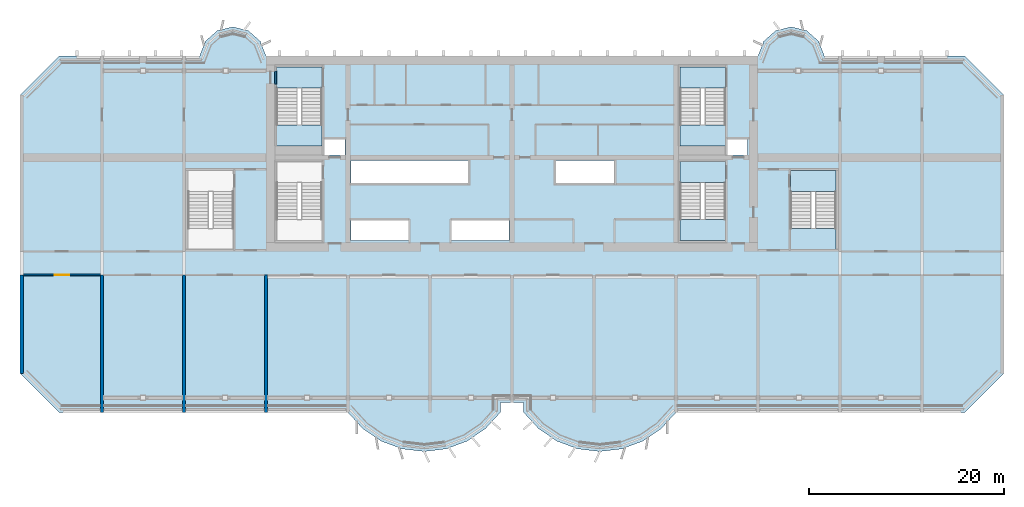
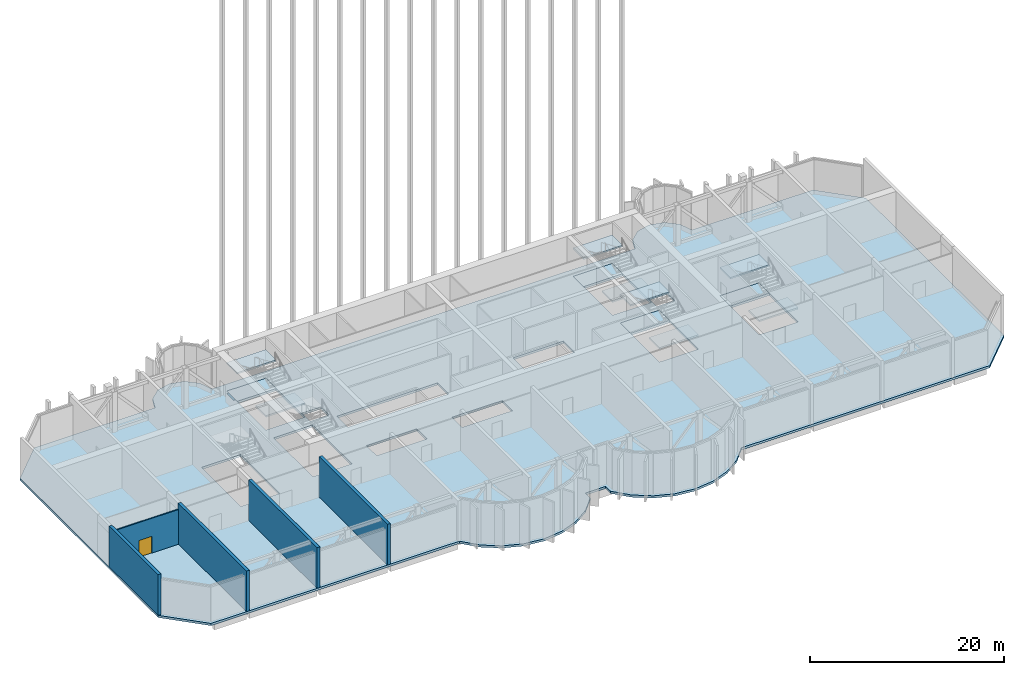
# One storey, part 4 of 17: 14 slabs, 5 walls, 1 door, 1 opening, 4 elements without a shape of their own.
"""IFC4 building model written with IfcOpenShell, lengths in metres."""

from ifc_helpers import new_model, si_unit, direction, frame, frame_2d, origin, place, context, subcontext, project, spatial, polyline, rectangle, outline, extrude, source, transform, mapped, material, layer, layer_set, type_object, element, fill, aggregate, save


model = new_model("IFC4")

# Units and contexts
model_context = context("Model", 3, precision=1e-05, world=origin(), true_north=direction((0.0, 1.0)))
body_context = subcontext(model_context, "Body", "Model", "MODEL_VIEW")
ifc_project = project(units=[si_unit("LENGTHUNIT", "METRE"), si_unit("AREAUNIT", "SQUARE_METRE"), si_unit("VOLUMEUNIT", "CUBIC_METRE"), si_unit("PLANEANGLEUNIT", "RADIAN"), si_unit("MASSUNIT", "GRAM", prefix="KILO")], contexts=[model_context])

# Site, building, storey
site_placement = place(None, origin())
site = spatial("IfcSite", under=ifc_project, at=site_placement, CompositionType="ELEMENT")
building_placement = place(site_placement, origin())
building = spatial("IfcBuilding", under=site, at=building_placement, Name="Vanashikhar Sky Hotel", CompositionType="ELEMENT")
storey_placement = place(building_placement, frame((0.0, 0.0, 140.800048828125)))
storey = spatial("IfcBuildingStorey", under=building, at=storey_placement, Name="L34", CompositionType="ELEMENT", Elevation=140.800048828125)

# Slabs
ifc_material_1 = material(Name="Concrete M40", Category="concrete")
ifc_layer_1 = layer(ifc_material_1, 0.280029296875)
ifc_layer_set_1 = layer_set([ifc_layer_1], Name="Floor slab 280 mm")
slab_type_1 = type_object("IfcSlabType", Name="Floor slab 280 mm", PredefinedType="FLOOR", material=ifc_layer_set_1)
shared_shape_1 = source(origin(), body_context, "Body", "SweptSolid", [
    extrude(outline(polyline([(49.199951171875, 5.5), (49.199951171875, 6.5), (51.60009765625, 6.5), (51.60009765625, 5.5), (53.133056640625, 3.825927734375), (55.01708984375, 2.55810546875), (57.14599609375, 1.76806640625), (59.39990234375, 1.5), (61.654052734375, 1.76806640625), (63.782958984375, 2.55810546875), (65.6669921875, 3.825927734375), (67.199951171875, 5.5), (96.800048828125, 5.5), (100.800048828125, 9.5), (100.800048828125, 38.0), (96.800048828125, 42.0), (82.39990234375, 42.0), (81.81494140625, 43.527099609375), (80.587890625, 44.610107421875), (79.0, 45.0), (77.412109375, 44.610107421875), (76.18505859375, 43.527099609375), (75.60009765625, 42.0), (25.199951171875, 42.0), (24.614990234375, 43.527099609375), (23.387939453125, 44.610107421875), (21.800048828125, 45.0), (20.2119140625, 44.610107421875), (18.985107421875, 43.527099609375), (18.39990234375, 42.0), (4.0, 42.0), (0.0, 38.0), (0.0, 9.5), (4.0, 5.5), (33.60009765625, 5.5), (35.133056640625, 3.825927734375), (37.01708984375, 2.55810546875), (39.14599609375, 1.76806640625), (41.39990234375, 1.5), (43.654052734375, 1.76806640625), (45.782958984375, 2.55810546875), (47.6669921875, 3.825927734375), (49.199951171875, 5.5)]), holes=[polyline([(33.300048828125, 33.60009765625), (31.050048828125, 33.60009765625), (31.050048828125, 31.89990234375), (33.300048828125, 31.89990234375), (33.300048828125, 33.60009765625)]), polyline([(33.89990234375, 25.199951171875), (33.89990234375, 23.10009765625), (39.89990234375, 23.10009765625), (39.89990234375, 25.199951171875), (33.89990234375, 25.199951171875)]), polyline([(33.89990234375, 31.300048828125), (33.89990234375, 29.0), (45.89990234375, 29.0), (45.89990234375, 31.300048828125), (33.89990234375, 31.300048828125)]), polyline([(44.10009765625, 25.199951171875), (44.10009765625, 23.10009765625), (50.10009765625, 23.10009765625), (50.10009765625, 25.199951171875), (44.10009765625, 25.199951171875)]), polyline([(54.89990234375, 31.300048828125), (54.89990234375, 29.0), (60.89990234375, 29.0), (60.89990234375, 31.300048828125), (54.89990234375, 31.300048828125)]), polyline([(74.5, 33.60009765625), (72.35009765625, 33.60009765625), (72.35009765625, 31.89990234375), (74.5, 31.89990234375), (74.5, 33.60009765625)]), polyline([(30.949951171875, 23.10009765625), (30.949951171875, 31.199951171875), (26.300048828125, 31.199951171875), (26.300048828125, 23.10009765625), (30.949951171875, 23.10009765625)]), polyline([(72.25, 23.10009765625), (72.25, 31.199951171875), (67.60009765625, 31.199951171875), (67.60009765625, 23.10009765625), (72.25, 23.10009765625)]), polyline([(26.300048828125, 40.5009765625), (26.10009765625, 40.5009765625), (26.10009765625, 39.09912109375), (26.300048828125, 39.09912109375), (26.300048828125, 32.800048828125), (30.949951171875, 32.800048828125), (30.949951171875, 40.89990234375), (26.300048828125, 40.89990234375), (26.300048828125, 40.5009765625)]), polyline([(72.25, 32.800048828125), (72.25, 40.89990234375), (67.60009765625, 40.89990234375), (67.60009765625, 32.800048828125), (72.25, 32.800048828125)]), polyline([(83.60009765625, 22.199951171875), (83.60009765625, 30.300048828125), (78.949951171875, 30.300048828125), (78.949951171875, 22.199951171875), (83.60009765625, 22.199951171875)]), polyline([(21.85009765625, 22.199951171875), (21.85009765625, 30.300048828125), (17.199951171875, 30.300048828125), (17.199951171875, 22.199951171875), (21.85009765625, 22.199951171875)])]), origin(), (0.0, 0.0, 1.0), 0.280029296875),
])
slab_1_placement = place(storey_placement, frame((0.0, 0.0, -0.280029296875)))
element("IfcSlab", 1, at=slab_1_placement, inside=storey, type_object=slab_type_1, Name="Floor slab L34", PredefinedType="FLOOR", context=body_context, shape_type="MappedRepresentation", body=[
    mapped(shared_shape_1, transform((0.0, 0.0, 0.0), scale=1.0)),
])
ifc_layer_2 = layer(ifc_material_1, 0.280029296875)
ifc_layer_set_2 = layer_set([ifc_layer_2], Name="Stair floor landing 280")
slab_type_2 = type_object("IfcSlabType", Name="Stair floor landing 280", PredefinedType="LANDING", material=ifc_layer_set_2)
shared_shape_2 = source(origin(), body_context, "Body", "SweptSolid", [
    extrude(outline(polyline([(26.10009765625, 39.10009765625), (26.300048828125, 39.10009765625), (26.300048828125, 40.5), (26.10009765625, 40.5), (26.10009765625, 39.10009765625)])), origin(), (0.0, 0.0, 1.0), 0.280029296875),
])
slab_2_placement = place(storey_placement, frame((0.0, 0.0, -0.280029296875)))
element("IfcSlab", 2, at=slab_2_placement, inside=storey, type_object=slab_type_2, Name="Stair floor landing", PredefinedType="LANDING", context=body_context, shape_type="MappedRepresentation", body=[
    mapped(shared_shape_2, transform((0.0, 0.0, 0.0), scale=1.0)),
])

# Stair, slabs
stair_type = type_object("IfcStairType", Name="Exit stair 2150", PredefinedType="DOUBLE_RETURN_STAIR", material=ifc_material_1)
stair_1_placement = place(storey_placement, origin())
stair_1 = element("IfcStair", 3, at=stair_1_placement, inside=storey, type_object=stair_type, Name="L34 Exit stair 2", PredefinedType="DOUBLE_RETURN_STAIR")
ifc_layer_3 = layer(ifc_material_1, 0.199951171875)
ifc_layer_set_3 = layer_set([ifc_layer_3], Name="Stair landing 200")
slab_type_3 = type_object("IfcSlabType", Name="Stair landing 200", PredefinedType="LANDING", material=ifc_layer_set_3)
shared_shape_3 = source(origin(), body_context, "Body", "SweptSolid", [
    extrude(outline(polyline([(72.25, 29.050048828125), (72.25, 31.199951171875), (67.60009765625, 31.199951171875), (67.60009765625, 29.050048828125), (72.25, 29.050048828125)])), origin(), (0.0, 0.0, 1.0), 0.199951171875),
])
slab_3_placement = place(storey_placement, frame((0.0, 0.0, 3.39990234375)))
slab_3 = element("IfcSlab", 4, at=slab_3_placement, type_object=slab_type_3, Name="ST-C2 landing 2", PredefinedType="LANDING", context=body_context, shape_type="MappedRepresentation", body=[
    mapped(shared_shape_3, transform((0.0, 0.0, 0.0), scale=1.0)),
])
shared_shape_4 = source(origin(), body_context, "Body", "SweptSolid", [
    extrude(outline(polyline([(72.25, 23.10009765625), (72.25, 25.25), (67.60009765625, 25.25), (67.60009765625, 23.10009765625), (72.25, 23.10009765625)])), origin(), (0.0, 0.0, 1.0), 0.2001953125),
])
slab_4_placement = place(storey_placement, frame((0.0, 0.0, 1.599853515625)))
slab_4 = element("IfcSlab", 5, at=slab_4_placement, type_object=slab_type_3, Name="ST-C2 landing 1", PredefinedType="LANDING", context=body_context, shape_type="MappedRepresentation", body=[
    mapped(shared_shape_4, transform((0.0, 0.0, 0.0), scale=1.0)),
])
aggregate(stair_1, [slab_4, slab_3])

# Slab
shared_shape_5 = source(origin(), body_context, "Body", "SweptSolid", [
    extrude(outline(polyline([(72.25, 29.050048828125), (72.25, 31.199951171875), (67.60009765625, 31.199951171875), (67.60009765625, 29.050048828125), (72.25, 29.050048828125)])), origin(), (0.0, 0.0, 1.0), 0.280029296875),
])
slab_5_placement = place(storey_placement, frame((0.0, 0.0, -0.280029296875)))
element("IfcSlab", 6, at=slab_5_placement, inside=storey, type_object=slab_type_2, Name="Exit stair 2 floor landing", PredefinedType="LANDING", context=body_context, shape_type="MappedRepresentation", body=[
    mapped(shared_shape_5, transform((0.0, 0.0, 0.0), scale=1.0)),
])

# Stair, slabs
stair_2_placement = place(storey_placement, origin())
stair_2 = element("IfcStair", 7, at=stair_2_placement, inside=storey, type_object=stair_type, Name="L34 Exit stair 4", PredefinedType="DOUBLE_RETURN_STAIR")
shared_shape_6 = source(origin(), body_context, "Body", "SweptSolid", [
    extrude(outline(polyline([(83.60009765625, 28.14990234375), (83.60009765625, 30.300048828125), (78.949951171875, 30.300048828125), (78.949951171875, 28.14990234375), (83.60009765625, 28.14990234375)])), origin(), (0.0, 0.0, 1.0), 0.199951171875),
])
slab_6_placement = place(storey_placement, frame((0.0, 0.0, 3.39990234375)))
slab_6 = element("IfcSlab", 8, at=slab_6_placement, type_object=slab_type_3, Name="ST-E landing 2", PredefinedType="LANDING", context=body_context, shape_type="MappedRepresentation", body=[
    mapped(shared_shape_6, transform((0.0, 0.0, 0.0), scale=1.0)),
])
shared_shape_7 = source(origin(), body_context, "Body", "SweptSolid", [
    extrude(outline(polyline([(83.60009765625, 22.199951171875), (83.60009765625, 24.35009765625), (78.949951171875, 24.35009765625), (78.949951171875, 22.199951171875), (83.60009765625, 22.199951171875)])), origin(), (0.0, 0.0, 1.0), 0.2001953125),
])
slab_7_placement = place(storey_placement, frame((0.0, 0.0, 1.599853515625)))
slab_7 = element("IfcSlab", 9, at=slab_7_placement, type_object=slab_type_3, Name="ST-E landing 1", PredefinedType="LANDING", context=body_context, shape_type="MappedRepresentation", body=[
    mapped(shared_shape_7, transform((0.0, 0.0, 0.0), scale=1.0)),
])
aggregate(stair_2, [slab_7, slab_6])

# Slab
shared_shape_8 = source(origin(), body_context, "Body", "SweptSolid", [
    extrude(outline(polyline([(83.60009765625, 28.14990234375), (83.60009765625, 30.300048828125), (78.949951171875, 30.300048828125), (78.949951171875, 28.14990234375), (83.60009765625, 28.14990234375)])), origin(), (0.0, 0.0, 1.0), 0.280029296875),
])
slab_8_placement = place(storey_placement, frame((0.0, 0.0, -0.280029296875)))
element("IfcSlab", 10, at=slab_8_placement, inside=storey, type_object=slab_type_2, Name="Exit stair 4 floor landing", PredefinedType="LANDING", context=body_context, shape_type="MappedRepresentation", body=[
    mapped(shared_shape_8, transform((0.0, 0.0, 0.0), scale=1.0)),
])

# Stair, slabs
stair_3_placement = place(storey_placement, origin())
stair_3 = element("IfcStair", 11, at=stair_3_placement, inside=storey, type_object=stair_type, Name="L34 Exit stair 5", PredefinedType="DOUBLE_RETURN_STAIR")
shared_shape_9 = source(origin(), body_context, "Body", "SweptSolid", [
    extrude(outline(polyline([(30.949951171875, 38.75), (30.949951171875, 40.89990234375), (26.300048828125, 40.89990234375), (26.300048828125, 38.75), (30.949951171875, 38.75)])), origin(), (0.0, 0.0, 1.0), 0.199951171875),
])
slab_9_placement = place(storey_placement, frame((0.0, 0.0, 3.39990234375)))
slab_9 = element("IfcSlab", 12, at=slab_9_placement, type_object=slab_type_3, Name="ST-C3 landing 2", PredefinedType="LANDING", context=body_context, shape_type="MappedRepresentation", body=[
    mapped(shared_shape_9, transform((0.0, 0.0, 0.0), scale=1.0)),
])
shared_shape_10 = source(origin(), body_context, "Body", "SweptSolid", [
    extrude(outline(polyline([(30.949951171875, 32.800048828125), (30.949951171875, 34.949951171875), (26.300048828125, 34.949951171875), (26.300048828125, 32.800048828125), (30.949951171875, 32.800048828125)])), origin(), (0.0, 0.0, 1.0), 0.2001953125),
])
slab_10_placement = place(storey_placement, frame((0.0, 0.0, 1.599853515625)))
slab_10 = element("IfcSlab", 13, at=slab_10_placement, type_object=slab_type_3, Name="ST-C3 landing 1", PredefinedType="LANDING", context=body_context, shape_type="MappedRepresentation", body=[
    mapped(shared_shape_10, transform((0.0, 0.0, 0.0), scale=1.0)),
])
aggregate(stair_3, [slab_10, slab_9])

# Slab
shared_shape_11 = source(origin(), body_context, "Body", "SweptSolid", [
    extrude(outline(polyline([(30.949951171875, 38.75), (30.949951171875, 40.89990234375), (26.300048828125, 40.89990234375), (26.300048828125, 38.75), (30.949951171875, 38.75)])), origin(), (0.0, 0.0, 1.0), 0.280029296875),
])
slab_11_placement = place(storey_placement, frame((0.0, 0.0, -0.280029296875)))
element("IfcSlab", 14, at=slab_11_placement, inside=storey, type_object=slab_type_2, Name="Exit stair 5 floor landing", PredefinedType="LANDING", context=body_context, shape_type="MappedRepresentation", body=[
    mapped(shared_shape_11, transform((0.0, 0.0, 0.0), scale=1.0)),
])

# Stair, slabs
stair_4_placement = place(storey_placement, origin())
stair_4 = element("IfcStair", 15, at=stair_4_placement, inside=storey, type_object=stair_type, Name="L34 Exit stair 6", PredefinedType="DOUBLE_RETURN_STAIR")
shared_shape_12 = source(origin(), body_context, "Body", "SweptSolid", [
    extrude(outline(polyline([(72.25, 38.75), (72.25, 40.89990234375), (67.60009765625, 40.89990234375), (67.60009765625, 38.75), (72.25, 38.75)])), origin(), (0.0, 0.0, 1.0), 0.199951171875),
])
slab_12_placement = place(storey_placement, frame((0.0, 0.0, 3.39990234375)))
slab_12 = element("IfcSlab", 16, at=slab_12_placement, type_object=slab_type_3, Name="ST-C4 landing 2", PredefinedType="LANDING", context=body_context, shape_type="MappedRepresentation", body=[
    mapped(shared_shape_12, transform((0.0, 0.0, 0.0), scale=1.0)),
])
shared_shape_13 = source(origin(), body_context, "Body", "SweptSolid", [
    extrude(outline(polyline([(72.25, 32.800048828125), (72.25, 34.949951171875), (67.60009765625, 34.949951171875), (67.60009765625, 32.800048828125), (72.25, 32.800048828125)])), origin(), (0.0, 0.0, 1.0), 0.2001953125),
])
slab_13_placement = place(storey_placement, frame((0.0, 0.0, 1.599853515625)))
slab_13 = element("IfcSlab", 17, at=slab_13_placement, type_object=slab_type_3, Name="ST-C4 landing 1", PredefinedType="LANDING", context=body_context, shape_type="MappedRepresentation", body=[
    mapped(shared_shape_13, transform((0.0, 0.0, 0.0), scale=1.0)),
])
aggregate(stair_4, [slab_13, slab_12])

# Slab
shared_shape_14 = source(origin(), body_context, "Body", "SweptSolid", [
    extrude(outline(polyline([(72.25, 38.75), (72.25, 40.89990234375), (67.60009765625, 40.89990234375), (67.60009765625, 38.75), (72.25, 38.75)])), origin(), (0.0, 0.0, 1.0), 0.280029296875),
])
slab_14_placement = place(storey_placement, frame((0.0, 0.0, -0.280029296875)))
element("IfcSlab", 18, at=slab_14_placement, inside=storey, type_object=slab_type_2, Name="Exit stair 6 floor landing", PredefinedType="LANDING", context=body_context, shape_type="MappedRepresentation", body=[
    mapped(shared_shape_14, transform((0.0, 0.0, 0.0), scale=1.0)),
])

# Walls
ifc_material_2 = material(Name="Concrete M70", Category="concrete")
ifc_layer_4 = layer(ifc_material_2, 0.35009765625)
ifc_layer_set_4 = layer_set([ifc_layer_4], Name="RC shear wall 350 Concrete M70")
wall_type_1 = type_object("IfcWallType", Name="RC shear wall 350 Concrete M70", PredefinedType="SHEAR", material=ifc_layer_set_4)
shared_shape_15 = source(origin(), body_context, "Body", "SweptSolid", [
    extrude(rectangle(XDim=10.10009765625, YDim=0.35009765625, at=frame_2d((5.050048828125, 0.0))), origin(), (0.0, 0.0, 1.0), 5.119873046875),
])
wall_1_placement = place(storey_placement, frame((0.175048828125, 9.5, 0.0), z_axis=(0.0, 0.0, 1.0), x_axis=(0.0, 1.0, 0.0)))
element("IfcWall", 19, at=wall_1_placement, inside=storey, type_object=wall_type_1, Name="CW-L34-XW01-1", PredefinedType="SHEAR", context=body_context, shape_type="MappedRepresentation", body=[
    mapped(shared_shape_15, transform((0.0, 0.0, 0.0), scale=1.0)),
])
shared_shape_16 = source(origin(), body_context, "Body", "SweptSolid", [
    extrude(rectangle(XDim=14.10009765625, YDim=0.35009765625, at=frame_2d((7.050048828125, 0.0))), origin(), (0.0, 0.0, 1.0), 5.119873046875),
])
for number, where, z_axis, x_axis, name in (
    (20, (8.39990234375, 5.5, 0.0), (0.0, 0.0, 1.0), (0.0, 1.0, 0.0), "CW-L34-XW02-1"),
    (21, (16.800048828125, 5.5, 0.0), (0.0, 0.0, 1.0), (0.0, 1.0, 0.0), "CW-L34-XW03-1"),
    (22, (25.199951171875, 5.5, 0.0), (0.0, 0.0, 1.0), (0.0, 1.0, 0.0), "CW-L34-XW04-1"),
):
    element("IfcWall", number, at=place(storey_placement, frame(where, z_axis=z_axis, x_axis=x_axis)), inside=storey, type_object=wall_type_1, Name=name, PredefinedType="SHEAR", context=body_context, shape_type="MappedRepresentation", body=[
        mapped(shared_shape_16, transform((0.0, 0.0, 0.0), scale=1.0)),
    ])

# Wall, opening, door
ifc_material_3 = material(Name="Gypsum board partition")
ifc_layer_5 = layer(ifc_material_3, 0.14990234375)
ifc_layer_set_5 = layer_set([ifc_layer_5], Name="Service partition 150")
wall_type_2 = type_object("IfcWallType", Name="Service partition 150", PredefinedType="PARTITIONING", material=ifc_layer_set_5)
shared_shape_17 = source(origin(), body_context, "Body", "SweptSolid", [
    extrude(rectangle(XDim=7.875, YDim=0.14990234375, at=frame_2d((3.9375, 0.0))), origin(), (0.0, 0.0, 1.0), 4.369873046875),
])
wall_2_placement = place(storey_placement, frame((0.35009765625, 19.60009765625, 0.0), z_axis=(0.0, 0.0, 1.0), x_axis=(1.0, 0.0, 0.0)))
wall_2 = element("IfcWall", 23, at=wall_2_placement, inside=storey, type_object=wall_type_2, Name="Service partition 150", PredefinedType="PARTITIONING", context=body_context, shape_type="MappedRepresentation", body=[
    mapped(shared_shape_17, transform((0.0, 0.0, 0.0), scale=1.0)),
])
shared_shape_18 = source(origin(), body_context, "Body", "SweptSolid", [
    extrude(rectangle(XDim=1.5, YDim=2.10009765625, at=frame_2d((0.75, 1.050048828125))), frame((0.0, 0.0849609375, 0.0), z_axis=(0.0, -1.0, 0.0), x_axis=(1.0, 0.0, 0.0)), (0.0, 0.0, 1.0), 0.169921875),
])
opening_placement = place(wall_2_placement, frame((3.18701171875, 0.0, 0.0)))
opening = element("IfcOpeningElement", 24, at=opening_placement, cuts=wall_2, Name="Opening DC-4-E", PredefinedType="OPENING", context=body_context, shape_type="MappedRepresentation", body=[
    mapped(shared_shape_18, transform((0.0, 0.0, 0.0), scale=1.0)),
])
ifc_material_4 = material(Name="Steel", Category="steel")
door_type = type_object("IfcDoorType", Name="Service door 1500 FD60", OperationType="NOTDEFINED", PredefinedType="DOOR", material=ifc_material_4)
shared_shape_19 = source(origin(), body_context, "Body", "SweptSolid", [
    extrude(rectangle(XDim=1.5, YDim=2.10009765625, at=frame_2d((0.75, 1.050048828125))), frame((0.0, 0.02490234375, 0.0), z_axis=(0.0, -1.0, 0.0), x_axis=(1.0, 0.0, 0.0)), (0.0, 0.0, 1.0), 0.050048828125),
])
door_placement = place(opening_placement, origin())
door = element("IfcDoor", 25, at=door_placement, inside=storey, type_object=door_type, Name="Service door 1500 FD60", OperationType="SINGLE_SWING_RIGHT", OverallHeight=2.10009765625, OverallWidth=1.5, PredefinedType="DOOR", context=body_context, shape_type="MappedRepresentation", body=[
    mapped(shared_shape_19, transform((0.0, 0.0, 0.0), scale=1.0)),
])
fill(opening, door)

save(model, "model.ifc")
